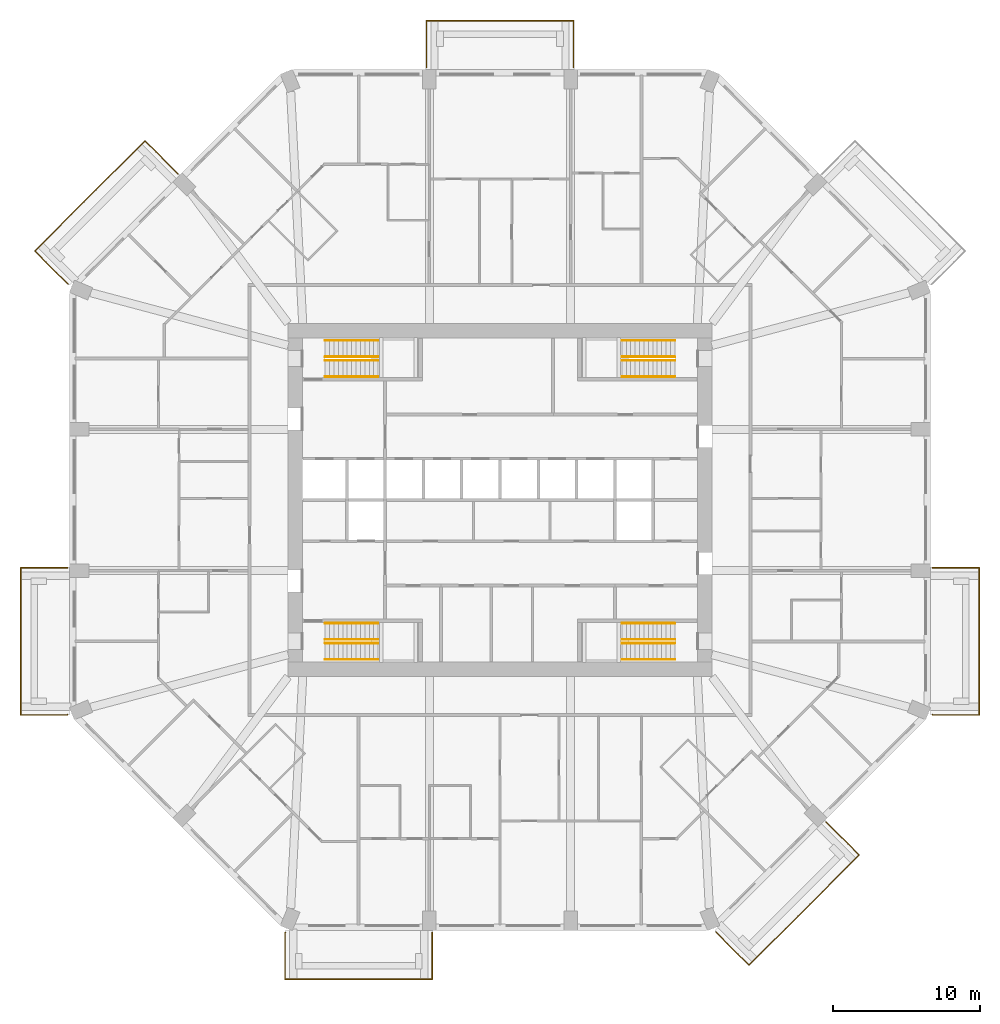
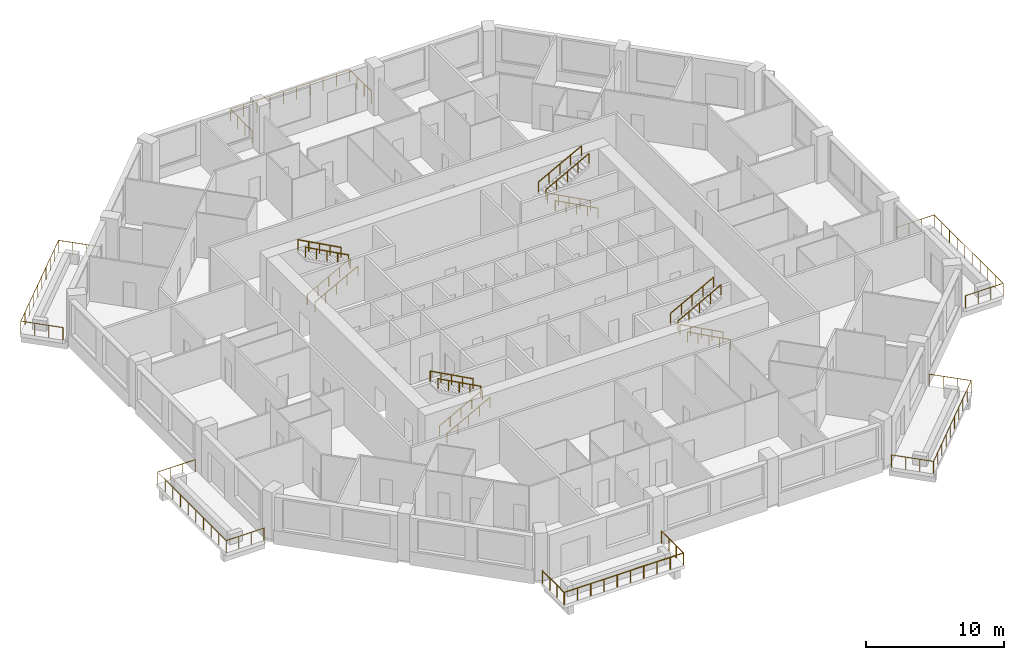
# One storey, part 12 of 13: 22 railings.
"""IFC4 building model written with IfcOpenShell, lengths in metres."""

from ifc_helpers import new_model, si_unit, direction, frame, origin, origin_2d, place, context, subcontext, project, spatial, circle, extrude, material, constituent, constituent_set, type_object, element, save


model = new_model("IFC4")

# Units and contexts
model_context = context("Model", 3, precision=1e-05, world=origin(), true_north=direction((0.0, 1.0)))
body_context = subcontext(model_context, "Body", "Model", "MODEL_VIEW")
ifc_project = project(units=[si_unit("LENGTHUNIT", "METRE"), si_unit("AREAUNIT", "SQUARE_METRE"), si_unit("VOLUMEUNIT", "CUBIC_METRE"), si_unit("PLANEANGLEUNIT", "RADIAN"), si_unit("MASSUNIT", "GRAM", prefix="KILO")], contexts=[model_context])

# Site, building, storey
site_placement = place(None, origin())
site = spatial("IfcSite", under=ifc_project, at=site_placement, CompositionType="ELEMENT")
building_placement = place(site_placement, origin())
building = spatial("IfcBuilding", under=site, at=building_placement, Name="Msitu Wima Residences", CompositionType="ELEMENT")
storey_placement = place(building_placement, frame((0.0, 0.0, 54.89990234375)))
storey = spatial("IfcBuildingStorey", under=building, at=storey_placement, Name="L12", CompositionType="ELEMENT", Elevation=54.89990234375)

# Railings
ifc_material_1 = material(Name="Steel S355", Category="steel")
ifc_constituent_1 = constituent(ifc_material_1, Name="Steel S355")
ifc_material_2 = material(Name="Weathering patina")
ifc_constituent_2 = constituent(ifc_material_2, Name="Weathering patina")
ifc_constituent_set_1 = constituent_set(constituents=[ifc_constituent_1, ifc_constituent_2], Name="Steel S355")
railing_type_1 = type_object("IfcRailingType", Name="Balcony guard GR1100", PredefinedType="GUARDRAIL", material=ifc_constituent_set_1)
railing_1_placement = place(storey_placement, frame((29.3798828125, -4.60009765625, 0.0)))
element("IfcRailing", 1, at=railing_1_placement, inside=storey, type_object=railing_type_1, Name="Balcony guard E0 L12", PredefinedType="GUARDRAIL", context=body_context, shape_type="SweptSolid", body=[
    extrude(circle(Radius=0.02392578125, at=origin_2d()), frame((0.0, 0.0, 1.076171875), z_axis=(1.0, 0.0, 0.0), x_axis=(0.0, 1.0, 0.0)), (0.0, 0.0, 1.0), 3.170166015625),
    extrude(circle(Radius=0.02392578125, at=origin_2d()), frame((3.170166015625, 0.0, 1.076171875), z_axis=(0.0, -1.0, 0.0), x_axis=(1.0, 0.0, 0.0)), (0.0, 0.0, 1.0), 10.0),
    extrude(circle(Radius=0.02392578125, at=origin_2d()), frame((3.170166015625, -10.0, 1.076171875), z_axis=(-1.0, 0.0, 0.0), x_axis=(0.0, -1.0, 0.0)), (0.0, 0.0, 1.0), 3.136474609375),
    extrude(circle(Radius=0.02392578125, at=origin_2d()), frame((0.03369140625, -10.0, 1.076171875), z_axis=(-0.92426142649, 0.38176015442, 0.0), x_axis=(-0.38176015442, -0.92426142649, 0.0)), (0.0, 0.0, 1.0), 0.036376953125),
    extrude(circle(Radius=0.02099609375, at=origin_2d()), origin(), (0.0, 0.0, 1.0), 1.052001953125),
    extrude(circle(Radius=0.02099609375, at=origin_2d()), frame((1.056640625, 0.0, 0.0)), (0.0, 0.0, 1.0), 1.052001953125),
    extrude(circle(Radius=0.02099609375, at=origin_2d()), frame((2.113525390625, 0.0, 0.0)), (0.0, 0.0, 1.0), 1.052001953125),
    extrude(circle(Radius=0.02099609375, at=origin_2d()), frame((3.170166015625, 0.0, 0.0)), (0.0, 0.0, 1.0), 1.052001953125),
    extrude(circle(Radius=0.02099609375, at=origin_2d()), frame((3.170166015625, -1.111083984375, 0.0)), (0.0, 0.0, 1.0), 1.052001953125),
    extrude(circle(Radius=0.02099609375, at=origin_2d()), frame((3.170166015625, -2.22216796875, 0.0)), (0.0, 0.0, 1.0), 1.052001953125),
    extrude(circle(Radius=0.02099609375, at=origin_2d()), frame((3.170166015625, -3.333251953125, 0.0)), (0.0, 0.0, 1.0), 1.052001953125),
    extrude(circle(Radius=0.02099609375, at=origin_2d()), frame((3.170166015625, -4.4443359375, 0.0)), (0.0, 0.0, 1.0), 1.052001953125),
    extrude(circle(Radius=0.02099609375, at=origin_2d()), frame((3.170166015625, -5.5556640625, 0.0)), (0.0, 0.0, 1.0), 1.052001953125),
    extrude(circle(Radius=0.02099609375, at=origin_2d()), frame((3.170166015625, -6.666748046875, 0.0)), (0.0, 0.0, 1.0), 1.052001953125),
    extrude(circle(Radius=0.02099609375, at=origin_2d()), frame((3.170166015625, -7.77783203125, 0.0)), (0.0, 0.0, 1.0), 1.052001953125),
    extrude(circle(Radius=0.02099609375, at=origin_2d()), frame((3.170166015625, -8.888916015625, 0.0)), (0.0, 0.0, 1.0), 1.052001953125),
    extrude(circle(Radius=0.02099609375, at=origin_2d()), frame((3.170166015625, -10.0, 0.0)), (0.0, 0.0, 1.0), 1.052001953125),
    extrude(circle(Radius=0.02099609375, at=origin_2d()), frame((2.124755859375, -10.0, 0.0)), (0.0, 0.0, 1.0), 1.052001953125),
    extrude(circle(Radius=0.02099609375, at=origin_2d()), frame((1.0791015625, -10.0, 0.0)), (0.0, 0.0, 1.0), 1.052001953125),
    extrude(circle(Radius=0.02099609375, at=origin_2d()), frame((0.03369140625, -10.0, 0.0)), (0.0, 0.0, 1.0), 1.052001953125),
    extrude(circle(Radius=0.02099609375, at=origin_2d()), frame((0.0, -9.986083984375, 0.0)), (0.0, 0.0, 1.0), 1.052001953125),
])
railing_2_placement = place(storey_placement, frame((-5.0, 29.3798828125, 0.0)))
element("IfcRailing", 2, at=railing_2_placement, inside=storey, type_object=railing_type_1, Name="Balcony guard N1 L12", PredefinedType="GUARDRAIL", context=body_context, shape_type="SweptSolid", body=[
    extrude(circle(Radius=0.02392578125, at=origin_2d()), frame((0.0, 0.0, 1.076171875), z_axis=(0.0, 1.0, 0.0), x_axis=(-1.0, 0.0, 0.0)), (0.0, 0.0, 1.0), 3.170166015625),
    extrude(circle(Radius=0.02392578125, at=origin_2d()), frame((0.0, 3.170166015625, 1.076171875), z_axis=(1.0, 0.0, 0.0), x_axis=(0.0, 1.0, 0.0)), (0.0, 0.0, 1.0), 10.0),
    extrude(circle(Radius=0.02392578125, at=origin_2d()), frame((10.0, 3.170166015625, 1.076171875), z_axis=(0.0, -1.0, 0.0), x_axis=(1.0, 0.0, 0.0)), (0.0, 0.0, 1.0), 3.170166015625),
    extrude(circle(Radius=0.02099609375, at=origin_2d()), origin(), (0.0, 0.0, 1.0), 1.052001953125),
    extrude(circle(Radius=0.02099609375, at=origin_2d()), frame((0.0, 1.056640625, 0.0)), (0.0, 0.0, 1.0), 1.052001953125),
    extrude(circle(Radius=0.02099609375, at=origin_2d()), frame((0.0, 2.113525390625, 0.0)), (0.0, 0.0, 1.0), 1.052001953125),
    extrude(circle(Radius=0.02099609375, at=origin_2d()), frame((0.0, 3.170166015625, 0.0)), (0.0, 0.0, 1.0), 1.052001953125),
    extrude(circle(Radius=0.02099609375, at=origin_2d()), frame((1.111083984375, 3.170166015625, 0.0)), (0.0, 0.0, 1.0), 1.052001953125),
    extrude(circle(Radius=0.02099609375, at=origin_2d()), frame((2.22216796875, 3.170166015625, 0.0)), (0.0, 0.0, 1.0), 1.052001953125),
    extrude(circle(Radius=0.02099609375, at=origin_2d()), frame((3.333251953125, 3.170166015625, 0.0)), (0.0, 0.0, 1.0), 1.052001953125),
    extrude(circle(Radius=0.02099609375, at=origin_2d()), frame((4.4443359375, 3.170166015625, 0.0)), (0.0, 0.0, 1.0), 1.052001953125),
    extrude(circle(Radius=0.02099609375, at=origin_2d()), frame((5.5556640625, 3.170166015625, 0.0)), (0.0, 0.0, 1.0), 1.052001953125),
    extrude(circle(Radius=0.02099609375, at=origin_2d()), frame((6.666748046875, 3.170166015625, 0.0)), (0.0, 0.0, 1.0), 1.052001953125),
    extrude(circle(Radius=0.02099609375, at=origin_2d()), frame((7.77783203125, 3.170166015625, 0.0)), (0.0, 0.0, 1.0), 1.052001953125),
    extrude(circle(Radius=0.02099609375, at=origin_2d()), frame((8.888916015625, 3.170166015625, 0.0)), (0.0, 0.0, 1.0), 1.052001953125),
    extrude(circle(Radius=0.02099609375, at=origin_2d()), frame((10.0, 3.170166015625, 0.0)), (0.0, 0.0, 1.0), 1.052001953125),
    extrude(circle(Radius=0.02099609375, at=origin_2d()), frame((10.0, 2.113525390625, 0.0)), (0.0, 0.0, 1.0), 1.052001953125),
    extrude(circle(Radius=0.02099609375, at=origin_2d()), frame((10.0, 1.056640625, 0.0)), (0.0, 0.0, 1.0), 1.052001953125),
    extrude(circle(Radius=0.02099609375, at=origin_2d()), frame((10.0, 0.0, 0.0)), (0.0, 0.0, 1.0), 1.052001953125),
])
railing_3_placement = place(storey_placement, frame((-29.341796875, 14.678466796875, 0.0)))
element("IfcRailing", 3, at=railing_3_placement, inside=storey, type_object=railing_type_1, Name="Balcony guard NW1 L12", PredefinedType="GUARDRAIL", context=body_context, shape_type="SweptSolid", body=[
    extrude(circle(Radius=0.02392578125, at=origin_2d()), frame((0.0, 0.0, 1.076171875), z_axis=(-0.923276184907, 0.384136806859, 0.0), x_axis=(-0.384136806859, -0.923276184907, 0.0)), (0.0, 0.0, 1.0), 0.0361328125),
    extrude(circle(Radius=0.02392578125, at=origin_2d()), frame((-0.033447265625, 0.013916015625, 1.076171875), z_axis=(-0.707106781187, 0.707106781187, 0.0), x_axis=(-0.707106781187, -0.707106781187, 0.0)), (0.0, 0.0, 1.0), 3.136474609375),
    extrude(circle(Radius=0.02392578125, at=origin_2d()), frame((-2.251220703125, 2.231689453125, 1.076171875), z_axis=(0.70709524572, 0.707118316465, 0.0), x_axis=(-0.707118316465, 0.70709524572, 0.0)), (0.0, 0.0, 1.0), 10.582275390625),
    extrude(circle(Radius=0.02392578125, at=origin_2d()), frame((5.2314453125, 9.714599609375, 1.076171875), z_axis=(0.707145287287, -0.707068272989, 0.0), x_axis=(0.707068272989, 0.707145287287, 0.0)), (0.0, 0.0, 1.0), 3.170166015625),
    extrude(circle(Radius=0.02099609375, at=origin_2d()), origin(), (0.0, 0.0, 1.0), 1.052001953125),
    extrude(circle(Radius=0.02099609375, at=origin_2d()), frame((-0.033447265625, 0.013916015625, 0.0)), (0.0, 0.0, 1.0), 1.052001953125),
    extrude(circle(Radius=0.02099609375, at=origin_2d()), frame((-0.772705078125, 0.753173828125, 0.0)), (0.0, 0.0, 1.0), 1.052001953125),
    extrude(circle(Radius=0.02099609375, at=origin_2d()), frame((-1.511962890625, 1.492431640625, 0.0)), (0.0, 0.0, 1.0), 1.052001953125),
    extrude(circle(Radius=0.02099609375, at=origin_2d()), frame((-2.251220703125, 2.231689453125, 0.0)), (0.0, 0.0, 1.0), 1.052001953125),
    extrude(circle(Radius=0.02099609375, at=origin_2d()), frame((-1.419921875, 3.063232421875, 0.0)), (0.0, 0.0, 1.0), 1.052001953125),
    extrude(circle(Radius=0.02099609375, at=origin_2d()), frame((-0.58837890625, 3.89453125, 0.0)), (0.0, 0.0, 1.0), 1.052001953125),
    extrude(circle(Radius=0.02099609375, at=origin_2d()), frame((0.242919921875, 4.72607421875, 0.0)), (0.0, 0.0, 1.0), 1.052001953125),
    extrude(circle(Radius=0.02099609375, at=origin_2d()), frame((1.074462890625, 5.557373046875, 0.0)), (0.0, 0.0, 1.0), 1.052001953125),
    extrude(circle(Radius=0.02099609375, at=origin_2d()), frame((1.90576171875, 6.388916015625, 0.0)), (0.0, 0.0, 1.0), 1.052001953125),
    extrude(circle(Radius=0.02099609375, at=origin_2d()), frame((2.7373046875, 7.22021484375, 0.0)), (0.0, 0.0, 1.0), 1.052001953125),
    extrude(circle(Radius=0.02099609375, at=origin_2d()), frame((3.568603515625, 8.0517578125, 0.0)), (0.0, 0.0, 1.0), 1.052001953125),
    extrude(circle(Radius=0.02099609375, at=origin_2d()), frame((4.400146484375, 8.883056640625, 0.0)), (0.0, 0.0, 1.0), 1.052001953125),
    extrude(circle(Radius=0.02099609375, at=origin_2d()), frame((5.2314453125, 9.714599609375, 0.0)), (0.0, 0.0, 1.0), 1.052001953125),
    extrude(circle(Radius=0.02099609375, at=origin_2d()), frame((5.978759765625, 8.967529296875, 0.0)), (0.0, 0.0, 1.0), 1.052001953125),
    extrude(circle(Radius=0.02099609375, at=origin_2d()), frame((6.725830078125, 8.22021484375, 0.0)), (0.0, 0.0, 1.0), 1.052001953125),
    extrude(circle(Radius=0.02099609375, at=origin_2d()), frame((7.47314453125, 7.47314453125, 0.0)), (0.0, 0.0, 1.0), 1.052001953125),
])
railing_4_placement = place(storey_placement, frame((-29.3798828125, -14.586181640625, 0.0)))
element("IfcRailing", 4, at=railing_4_placement, inside=storey, type_object=railing_type_1, Name="Balcony guard W2 L12", PredefinedType="GUARDRAIL", context=body_context, shape_type="SweptSolid", body=[
    extrude(circle(Radius=0.02392578125, at=origin_2d()), frame((0.0, 0.0, 1.076171875), z_axis=(-0.92426142649, -0.38176015442, 0.0), x_axis=(0.38176015442, -0.92426142649, 0.0)), (0.0, 0.0, 1.0), 0.036376953125),
    extrude(circle(Radius=0.02392578125, at=origin_2d()), frame((-0.03369140625, -0.013916015625, 1.076171875), z_axis=(-1.0, 0.0, 0.0), x_axis=(0.0, -1.0, 0.0)), (0.0, 0.0, 1.0), 3.136474609375),
    extrude(circle(Radius=0.02392578125, at=origin_2d()), frame((-3.170166015625, -0.013916015625, 1.076171875), z_axis=(0.0, 1.0, 0.0), x_axis=(-1.0, 0.0, 0.0)), (0.0, 0.0, 1.0), 10.0),
    extrude(circle(Radius=0.02392578125, at=origin_2d()), frame((-3.170166015625, 9.986083984375, 1.076171875), z_axis=(1.0, 0.0, 0.0), x_axis=(0.0, 1.0, 0.0)), (0.0, 0.0, 1.0), 3.170166015625),
    extrude(circle(Radius=0.02099609375, at=origin_2d()), origin(), (0.0, 0.0, 1.0), 1.052001953125),
    extrude(circle(Radius=0.02099609375, at=origin_2d()), frame((-0.03369140625, -0.013916015625, 0.0)), (0.0, 0.0, 1.0), 1.052001953125),
    extrude(circle(Radius=0.02099609375, at=origin_2d()), frame((-1.0791015625, -0.013916015625, 0.0)), (0.0, 0.0, 1.0), 1.052001953125),
    extrude(circle(Radius=0.02099609375, at=origin_2d()), frame((-2.124755859375, -0.013916015625, 0.0)), (0.0, 0.0, 1.0), 1.052001953125),
    extrude(circle(Radius=0.02099609375, at=origin_2d()), frame((-3.170166015625, -0.013916015625, 0.0)), (0.0, 0.0, 1.0), 1.052001953125),
    extrude(circle(Radius=0.02099609375, at=origin_2d()), frame((-3.170166015625, 1.09716796875, 0.0)), (0.0, 0.0, 1.0), 1.052001953125),
    extrude(circle(Radius=0.02099609375, at=origin_2d()), frame((-3.170166015625, 2.208251953125, 0.0)), (0.0, 0.0, 1.0), 1.052001953125),
    extrude(circle(Radius=0.02099609375, at=origin_2d()), frame((-3.170166015625, 3.3193359375, 0.0)), (0.0, 0.0, 1.0), 1.052001953125),
    extrude(circle(Radius=0.02099609375, at=origin_2d()), frame((-3.170166015625, 4.430419921875, 0.0)), (0.0, 0.0, 1.0), 1.052001953125),
    extrude(circle(Radius=0.02099609375, at=origin_2d()), frame((-3.170166015625, 5.541748046875, 0.0)), (0.0, 0.0, 1.0), 1.052001953125),
    extrude(circle(Radius=0.02099609375, at=origin_2d()), frame((-3.170166015625, 6.65283203125, 0.0)), (0.0, 0.0, 1.0), 1.052001953125),
    extrude(circle(Radius=0.02099609375, at=origin_2d()), frame((-3.170166015625, 7.763916015625, 0.0)), (0.0, 0.0, 1.0), 1.052001953125),
    extrude(circle(Radius=0.02099609375, at=origin_2d()), frame((-3.170166015625, 8.875, 0.0)), (0.0, 0.0, 1.0), 1.052001953125),
    extrude(circle(Radius=0.02099609375, at=origin_2d()), frame((-3.170166015625, 9.986083984375, 0.0)), (0.0, 0.0, 1.0), 1.052001953125),
    extrude(circle(Radius=0.02099609375, at=origin_2d()), frame((-2.113525390625, 9.986083984375, 0.0)), (0.0, 0.0, 1.0), 1.052001953125),
    extrude(circle(Radius=0.02099609375, at=origin_2d()), frame((-1.056640625, 9.986083984375, 0.0)), (0.0, 0.0, 1.0), 1.052001953125),
    extrude(circle(Radius=0.02099609375, at=origin_2d()), frame((0.0, 9.986083984375, 0.0)), (0.0, 0.0, 1.0), 1.052001953125),
])
railing_5_placement = place(storey_placement, frame((-4.60009765625, -29.3798828125, 0.0)))
element("IfcRailing", 5, at=railing_5_placement, inside=storey, type_object=railing_type_1, Name="Balcony guard S0 L12", PredefinedType="GUARDRAIL", context=body_context, shape_type="SweptSolid", body=[
    extrude(circle(Radius=0.02392578125, at=origin_2d()), frame((0.0, 0.0, 1.076171875), z_axis=(0.0, -1.0, 0.0), x_axis=(1.0, 0.0, 0.0)), (0.0, 0.0, 1.0), 3.170166015625),
    extrude(circle(Radius=0.02392578125, at=origin_2d()), frame((0.0, -3.170166015625, 1.076171875), z_axis=(-1.0, 0.0, 0.0), x_axis=(0.0, -1.0, 0.0)), (0.0, 0.0, 1.0), 10.0),
    extrude(circle(Radius=0.02392578125, at=origin_2d()), frame((-10.0, -3.170166015625, 1.076171875), z_axis=(0.0, 1.0, 0.0), x_axis=(-1.0, 0.0, 0.0)), (0.0, 0.0, 1.0), 3.136474609375),
    extrude(circle(Radius=0.02392578125, at=origin_2d()), frame((-10.0, -0.03369140625, 1.076171875), z_axis=(0.38176015442, 0.92426142649, 0.0), x_axis=(-0.92426142649, 0.38176015442, 0.0)), (0.0, 0.0, 1.0), 0.036376953125),
    extrude(circle(Radius=0.02099609375, at=origin_2d()), origin(), (0.0, 0.0, 1.0), 1.052001953125),
    extrude(circle(Radius=0.02099609375, at=origin_2d()), frame((0.0, -1.056640625, 0.0)), (0.0, 0.0, 1.0), 1.052001953125),
    extrude(circle(Radius=0.02099609375, at=origin_2d()), frame((0.0, -2.113525390625, 0.0)), (0.0, 0.0, 1.0), 1.052001953125),
    extrude(circle(Radius=0.02099609375, at=origin_2d()), frame((0.0, -3.170166015625, 0.0)), (0.0, 0.0, 1.0), 1.052001953125),
    extrude(circle(Radius=0.02099609375, at=origin_2d()), frame((-1.111083984375, -3.170166015625, 0.0)), (0.0, 0.0, 1.0), 1.052001953125),
    extrude(circle(Radius=0.02099609375, at=origin_2d()), frame((-2.22216796875, -3.170166015625, 0.0)), (0.0, 0.0, 1.0), 1.052001953125),
    extrude(circle(Radius=0.02099609375, at=origin_2d()), frame((-3.333251953125, -3.170166015625, 0.0)), (0.0, 0.0, 1.0), 1.052001953125),
    extrude(circle(Radius=0.02099609375, at=origin_2d()), frame((-4.4443359375, -3.170166015625, 0.0)), (0.0, 0.0, 1.0), 1.052001953125),
    extrude(circle(Radius=0.02099609375, at=origin_2d()), frame((-5.5556640625, -3.170166015625, 0.0)), (0.0, 0.0, 1.0), 1.052001953125),
    extrude(circle(Radius=0.02099609375, at=origin_2d()), frame((-6.666748046875, -3.170166015625, 0.0)), (0.0, 0.0, 1.0), 1.052001953125),
    extrude(circle(Radius=0.02099609375, at=origin_2d()), frame((-7.77783203125, -3.170166015625, 0.0)), (0.0, 0.0, 1.0), 1.052001953125),
    extrude(circle(Radius=0.02099609375, at=origin_2d()), frame((-8.888916015625, -3.170166015625, 0.0)), (0.0, 0.0, 1.0), 1.052001953125),
    extrude(circle(Radius=0.02099609375, at=origin_2d()), frame((-10.0, -3.170166015625, 0.0)), (0.0, 0.0, 1.0), 1.052001953125),
    extrude(circle(Radius=0.02099609375, at=origin_2d()), frame((-10.0, -2.124755859375, 0.0)), (0.0, 0.0, 1.0), 1.052001953125),
    extrude(circle(Radius=0.02099609375, at=origin_2d()), frame((-10.0, -1.0791015625, 0.0)), (0.0, 0.0, 1.0), 1.052001953125),
    extrude(circle(Radius=0.02099609375, at=origin_2d()), frame((-10.0, -0.03369140625, 0.0)), (0.0, 0.0, 1.0), 1.052001953125),
    extrude(circle(Radius=0.02099609375, at=origin_2d()), frame((-9.986083984375, 0.0, 0.0)), (0.0, 0.0, 1.0), 1.052001953125),
])
railing_6_placement = place(storey_placement, frame((22.151611328125, -21.86865234375, 0.0)))
element("IfcRailing", 6, at=railing_6_placement, inside=storey, type_object=railing_type_1, Name="Balcony guard SE0 L12", PredefinedType="GUARDRAIL", context=body_context, shape_type="SweptSolid", body=[
    extrude(circle(Radius=0.02392578125, at=origin_2d()), frame((0.0, 0.0, 1.076171875), z_axis=(0.707068272989, -0.707145287287, 0.0), x_axis=(0.707145287287, 0.707068272989, 0.0)), (0.0, 0.0, 1.0), 3.170166015625),
    extrude(circle(Radius=0.02392578125, at=origin_2d()), frame((2.241455078125, -2.24169921875, 1.076171875), z_axis=(-0.707118316465, -0.70709524572, 0.0), x_axis=(0.70709524572, -0.707118316465, 0.0)), (0.0, 0.0, 1.0), 10.582275390625),
    extrude(circle(Radius=0.02392578125, at=origin_2d()), frame((-5.241455078125, -9.724365234375, 1.076171875), z_axis=(-0.707106781187, 0.707106781187, 0.0), x_axis=(-0.707106781187, -0.707106781187, 0.0)), (0.0, 0.0, 1.0), 3.136474609375),
    extrude(circle(Radius=0.02392578125, at=origin_2d()), frame((-7.459228515625, -7.506591796875, 1.076171875), z_axis=(-0.384136806859, 0.923276184907, 0.0), x_axis=(-0.923276184907, -0.384136806859, 0.0)), (0.0, 0.0, 1.0), 0.0361328125),
    extrude(circle(Radius=0.02099609375, at=origin_2d()), origin(), (0.0, 0.0, 1.0), 1.052001953125),
    extrude(circle(Radius=0.02099609375, at=origin_2d()), frame((0.7470703125, -0.747314453125, 0.0)), (0.0, 0.0, 1.0), 1.052001953125),
    extrude(circle(Radius=0.02099609375, at=origin_2d()), frame((1.494384765625, -1.494384765625, 0.0)), (0.0, 0.0, 1.0), 1.052001953125),
    extrude(circle(Radius=0.02099609375, at=origin_2d()), frame((2.241455078125, -2.24169921875, 0.0)), (0.0, 0.0, 1.0), 1.052001953125),
    extrude(circle(Radius=0.02099609375, at=origin_2d()), frame((1.409912109375, -3.072998046875, 0.0)), (0.0, 0.0, 1.0), 1.052001953125),
    extrude(circle(Radius=0.02099609375, at=origin_2d()), frame((0.57861328125, -3.904541015625, 0.0)), (0.0, 0.0, 1.0), 1.052001953125),
    extrude(circle(Radius=0.02099609375, at=origin_2d()), frame((-0.2529296875, -4.73583984375, 0.0)), (0.0, 0.0, 1.0), 1.052001953125),
    extrude(circle(Radius=0.02099609375, at=origin_2d()), frame((-1.084228515625, -5.5673828125, 0.0)), (0.0, 0.0, 1.0), 1.052001953125),
    extrude(circle(Radius=0.02099609375, at=origin_2d()), frame((-1.915771484375, -6.398681640625, 0.0)), (0.0, 0.0, 1.0), 1.052001953125),
    extrude(circle(Radius=0.02099609375, at=origin_2d()), frame((-2.7470703125, -7.230224609375, 0.0)), (0.0, 0.0, 1.0), 1.052001953125),
    extrude(circle(Radius=0.02099609375, at=origin_2d()), frame((-3.57861328125, -8.0615234375, 0.0)), (0.0, 0.0, 1.0), 1.052001953125),
    extrude(circle(Radius=0.02099609375, at=origin_2d()), frame((-4.409912109375, -8.89306640625, 0.0)), (0.0, 0.0, 1.0), 1.052001953125),
    extrude(circle(Radius=0.02099609375, at=origin_2d()), frame((-5.241455078125, -9.724365234375, 0.0)), (0.0, 0.0, 1.0), 1.052001953125),
    extrude(circle(Radius=0.02099609375, at=origin_2d()), frame((-5.980712890625, -8.985107421875, 0.0)), (0.0, 0.0, 1.0), 1.052001953125),
    extrude(circle(Radius=0.02099609375, at=origin_2d()), frame((-6.719970703125, -8.245849609375, 0.0)), (0.0, 0.0, 1.0), 1.052001953125),
    extrude(circle(Radius=0.02099609375, at=origin_2d()), frame((-7.459228515625, -7.506591796875, 0.0)), (0.0, 0.0, 1.0), 1.052001953125),
    extrude(circle(Radius=0.02099609375, at=origin_2d()), frame((-7.47314453125, -7.47314453125, 0.0)), (0.0, 0.0, 1.0), 1.052001953125),
])
ifc_constituent_3 = constituent(ifc_material_1, Name="Steel S355")
ifc_material_3 = material(Name="Black powder coating")
ifc_constituent_4 = constituent(ifc_material_3, Name="Black powder coating")
ifc_constituent_set_2 = constituent_set(constituents=[ifc_constituent_3, ifc_constituent_4], Name="Steel S355")
railing_type_2 = type_object("IfcRailingType", Name="Stair handrail HR1", PredefinedType="HANDRAIL", material=ifc_constituent_set_2)
for number, where, name in (
    (7, (-11.875, 8.375, 0.16162109375), "Stair 1 handrail"),
    (8, (-11.875, 9.47509765625, 0.16162109375), "Stair 1 handrail"),
):
    element("IfcRailing", number, at=place(storey_placement, frame(where)), inside=storey, type_object=railing_type_2, Name=name, PredefinedType="HANDRAIL", context=body_context, shape_type="SweptSolid", body=[
        extrude(circle(Radius=0.02392578125, at=origin_2d()), frame((0.0, 0.0, 0.8759765625), z_axis=(0.880474934443, 0.0, 0.474092701714), x_axis=(0.0, 1.0, 0.0)), (0.0, 0.0, 1.0), 4.0888671875),
        extrude(circle(Radius=0.02099609375, at=origin_2d()), origin(), (0.0, 0.0, 1.0), 0.851806640625),
        extrude(circle(Radius=0.02099609375, at=origin_2d()), frame((0.89990234375, 0.0, 0.484619140625)), (0.0, 0.0, 1.0), 0.851806640625),
        extrude(circle(Radius=0.02099609375, at=origin_2d()), frame((1.800048828125, 0.0, 0.96923828125)), (0.0, 0.0, 1.0), 0.851806640625),
        extrude(circle(Radius=0.02099609375, at=origin_2d()), frame((2.7001953125, 0.0, 1.453857421875)), (0.0, 0.0, 1.0), 0.851806640625),
        extrude(circle(Radius=0.02099609375, at=origin_2d()), frame((3.60009765625, 0.0, 1.9384765625)), (0.0, 0.0, 1.0), 0.851806640625),
    ])
for number, where, name in (
    (9, (-8.27490234375, 9.72509765625, 2.26171875), "Stair 1 handrail"),
    (10, (-8.27490234375, 10.824951171875, 2.26171875), "Stair 1 handrail"),
):
    element("IfcRailing", number, at=place(storey_placement, frame(where)), inside=storey, type_object=railing_type_2, Name=name, PredefinedType="HANDRAIL", context=body_context, shape_type="SweptSolid", body=[
        extrude(circle(Radius=0.02392578125, at=origin_2d()), frame((0.0, 0.0, 0.8759765625), z_axis=(-0.880474934443, 0.0, 0.474092701714), x_axis=(0.0, -1.0, 0.0)), (0.0, 0.0, 1.0), 4.0888671875),
        extrude(circle(Radius=0.02099609375, at=origin_2d()), origin(), (0.0, 0.0, 1.0), 0.851806640625),
        extrude(circle(Radius=0.02099609375, at=origin_2d()), frame((-0.89990234375, 0.0, 0.484619140625)), (0.0, 0.0, 1.0), 0.851806640625),
        extrude(circle(Radius=0.02099609375, at=origin_2d()), frame((-1.800048828125, 0.0, 0.96923828125)), (0.0, 0.0, 1.0), 0.851806640625),
        extrude(circle(Radius=0.02099609375, at=origin_2d()), frame((-2.7001953125, 0.0, 1.453857421875)), (0.0, 0.0, 1.0), 0.851806640625),
        extrude(circle(Radius=0.02099609375, at=origin_2d()), frame((-3.60009765625, 0.0, 1.9384765625)), (0.0, 0.0, 1.0), 0.851806640625),
    ])
for number, where, name in (
    (11, (-11.875, -10.824951171875, 0.16162109375), "Stair 2 handrail"),
    (12, (-11.875, -9.72509765625, 0.16162109375), "Stair 2 handrail"),
):
    element("IfcRailing", number, at=place(storey_placement, frame(where)), inside=storey, type_object=railing_type_2, Name=name, PredefinedType="HANDRAIL", context=body_context, shape_type="SweptSolid", body=[
        extrude(circle(Radius=0.02392578125, at=origin_2d()), frame((0.0, 0.0, 0.8759765625), z_axis=(0.880474934443, 0.0, 0.474092701714), x_axis=(0.0, 1.0, 0.0)), (0.0, 0.0, 1.0), 4.0888671875),
        extrude(circle(Radius=0.02099609375, at=origin_2d()), origin(), (0.0, 0.0, 1.0), 0.851806640625),
        extrude(circle(Radius=0.02099609375, at=origin_2d()), frame((0.89990234375, 0.0, 0.484619140625)), (0.0, 0.0, 1.0), 0.851806640625),
        extrude(circle(Radius=0.02099609375, at=origin_2d()), frame((1.800048828125, 0.0, 0.96923828125)), (0.0, 0.0, 1.0), 0.851806640625),
        extrude(circle(Radius=0.02099609375, at=origin_2d()), frame((2.7001953125, 0.0, 1.453857421875)), (0.0, 0.0, 1.0), 0.851806640625),
        extrude(circle(Radius=0.02099609375, at=origin_2d()), frame((3.60009765625, 0.0, 1.9384765625)), (0.0, 0.0, 1.0), 0.851806640625),
    ])
for number, where, name in (
    (13, (-8.27490234375, -9.47509765625, 2.26171875), "Stair 2 handrail"),
    (14, (-8.27490234375, -8.375, 2.26171875), "Stair 2 handrail"),
    (15, (11.875, 8.375, 0.16162109375), "Stair 3 handrail"),
    (16, (11.875, 9.47509765625, 0.16162109375), "Stair 3 handrail"),
):
    element("IfcRailing", number, at=place(storey_placement, frame(where)), inside=storey, type_object=railing_type_2, Name=name, PredefinedType="HANDRAIL", context=body_context, shape_type="SweptSolid", body=[
        extrude(circle(Radius=0.02392578125, at=origin_2d()), frame((0.0, 0.0, 0.8759765625), z_axis=(-0.880474934443, 0.0, 0.474092701714), x_axis=(0.0, -1.0, 0.0)), (0.0, 0.0, 1.0), 4.0888671875),
        extrude(circle(Radius=0.02099609375, at=origin_2d()), origin(), (0.0, 0.0, 1.0), 0.851806640625),
        extrude(circle(Radius=0.02099609375, at=origin_2d()), frame((-0.89990234375, 0.0, 0.484619140625)), (0.0, 0.0, 1.0), 0.851806640625),
        extrude(circle(Radius=0.02099609375, at=origin_2d()), frame((-1.800048828125, 0.0, 0.96923828125)), (0.0, 0.0, 1.0), 0.851806640625),
        extrude(circle(Radius=0.02099609375, at=origin_2d()), frame((-2.7001953125, 0.0, 1.453857421875)), (0.0, 0.0, 1.0), 0.851806640625),
        extrude(circle(Radius=0.02099609375, at=origin_2d()), frame((-3.60009765625, 0.0, 1.9384765625)), (0.0, 0.0, 1.0), 0.851806640625),
    ])
for number, where, name in (
    (17, (8.27490234375, 9.72509765625, 2.26171875), "Stair 3 handrail"),
    (18, (8.27490234375, 10.824951171875, 2.26171875), "Stair 3 handrail"),
):
    element("IfcRailing", number, at=place(storey_placement, frame(where)), inside=storey, type_object=railing_type_2, Name=name, PredefinedType="HANDRAIL", context=body_context, shape_type="SweptSolid", body=[
        extrude(circle(Radius=0.02392578125, at=origin_2d()), frame((0.0, 0.0, 0.8759765625), z_axis=(0.880474934443, 0.0, 0.474092701714), x_axis=(0.0, 1.0, 0.0)), (0.0, 0.0, 1.0), 4.0888671875),
        extrude(circle(Radius=0.02099609375, at=origin_2d()), origin(), (0.0, 0.0, 1.0), 0.851806640625),
        extrude(circle(Radius=0.02099609375, at=origin_2d()), frame((0.89990234375, 0.0, 0.484619140625)), (0.0, 0.0, 1.0), 0.851806640625),
        extrude(circle(Radius=0.02099609375, at=origin_2d()), frame((1.800048828125, 0.0, 0.96923828125)), (0.0, 0.0, 1.0), 0.851806640625),
        extrude(circle(Radius=0.02099609375, at=origin_2d()), frame((2.7001953125, 0.0, 1.453857421875)), (0.0, 0.0, 1.0), 0.851806640625),
        extrude(circle(Radius=0.02099609375, at=origin_2d()), frame((3.60009765625, 0.0, 1.9384765625)), (0.0, 0.0, 1.0), 0.851806640625),
    ])
for number, where, name in (
    (19, (11.875, -10.824951171875, 0.16162109375), "Stair 4 handrail"),
    (20, (11.875, -9.72509765625, 0.16162109375), "Stair 4 handrail"),
):
    element("IfcRailing", number, at=place(storey_placement, frame(where)), inside=storey, type_object=railing_type_2, Name=name, PredefinedType="HANDRAIL", context=body_context, shape_type="SweptSolid", body=[
        extrude(circle(Radius=0.02392578125, at=origin_2d()), frame((0.0, 0.0, 0.8759765625), z_axis=(-0.880474934443, 0.0, 0.474092701714), x_axis=(0.0, -1.0, 0.0)), (0.0, 0.0, 1.0), 4.0888671875),
        extrude(circle(Radius=0.02099609375, at=origin_2d()), origin(), (0.0, 0.0, 1.0), 0.851806640625),
        extrude(circle(Radius=0.02099609375, at=origin_2d()), frame((-0.89990234375, 0.0, 0.484619140625)), (0.0, 0.0, 1.0), 0.851806640625),
        extrude(circle(Radius=0.02099609375, at=origin_2d()), frame((-1.800048828125, 0.0, 0.96923828125)), (0.0, 0.0, 1.0), 0.851806640625),
        extrude(circle(Radius=0.02099609375, at=origin_2d()), frame((-2.7001953125, 0.0, 1.453857421875)), (0.0, 0.0, 1.0), 0.851806640625),
        extrude(circle(Radius=0.02099609375, at=origin_2d()), frame((-3.60009765625, 0.0, 1.9384765625)), (0.0, 0.0, 1.0), 0.851806640625),
    ])
for number, where, name in (
    (21, (8.27490234375, -9.47509765625, 2.26171875), "Stair 4 handrail"),
    (22, (8.27490234375, -8.375, 2.26171875), "Stair 4 handrail"),
):
    element("IfcRailing", number, at=place(storey_placement, frame(where)), inside=storey, type_object=railing_type_2, Name=name, PredefinedType="HANDRAIL", context=body_context, shape_type="SweptSolid", body=[
        extrude(circle(Radius=0.02392578125, at=origin_2d()), frame((0.0, 0.0, 0.8759765625), z_axis=(0.880474934443, 0.0, 0.474092701714), x_axis=(0.0, 1.0, 0.0)), (0.0, 0.0, 1.0), 4.0888671875),
        extrude(circle(Radius=0.02099609375, at=origin_2d()), origin(), (0.0, 0.0, 1.0), 0.851806640625),
        extrude(circle(Radius=0.02099609375, at=origin_2d()), frame((0.89990234375, 0.0, 0.484619140625)), (0.0, 0.0, 1.0), 0.851806640625),
        extrude(circle(Radius=0.02099609375, at=origin_2d()), frame((1.800048828125, 0.0, 0.96923828125)), (0.0, 0.0, 1.0), 0.851806640625),
        extrude(circle(Radius=0.02099609375, at=origin_2d()), frame((2.7001953125, 0.0, 1.453857421875)), (0.0, 0.0, 1.0), 0.851806640625),
        extrude(circle(Radius=0.02099609375, at=origin_2d()), frame((3.60009765625, 0.0, 1.9384765625)), (0.0, 0.0, 1.0), 0.851806640625),
    ])

save(model, "model.ifc")
